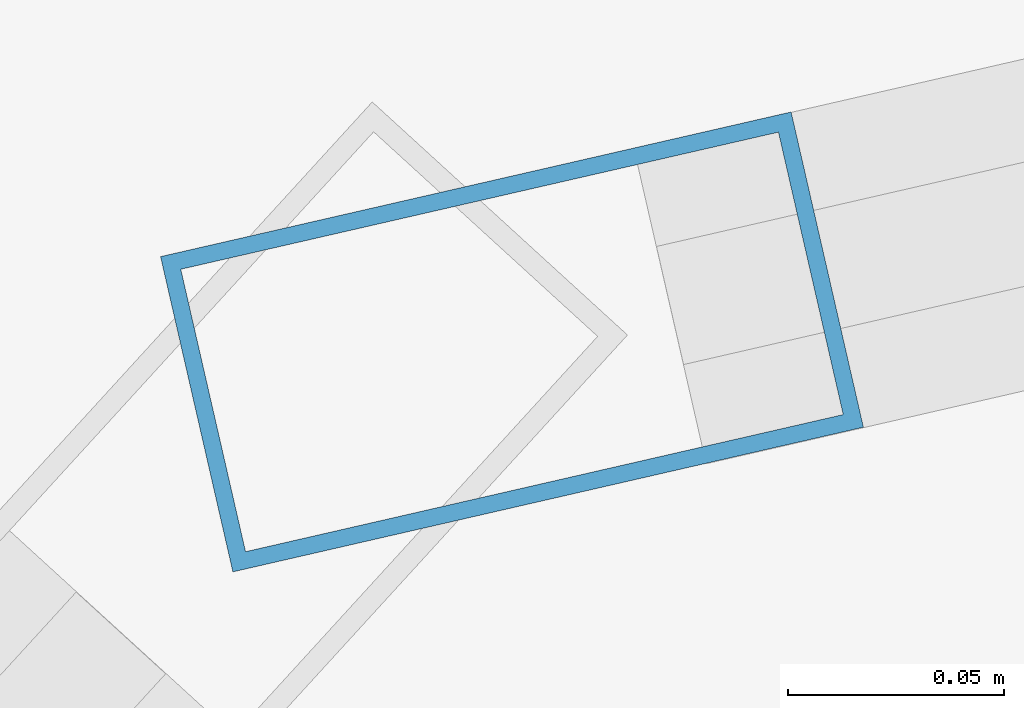
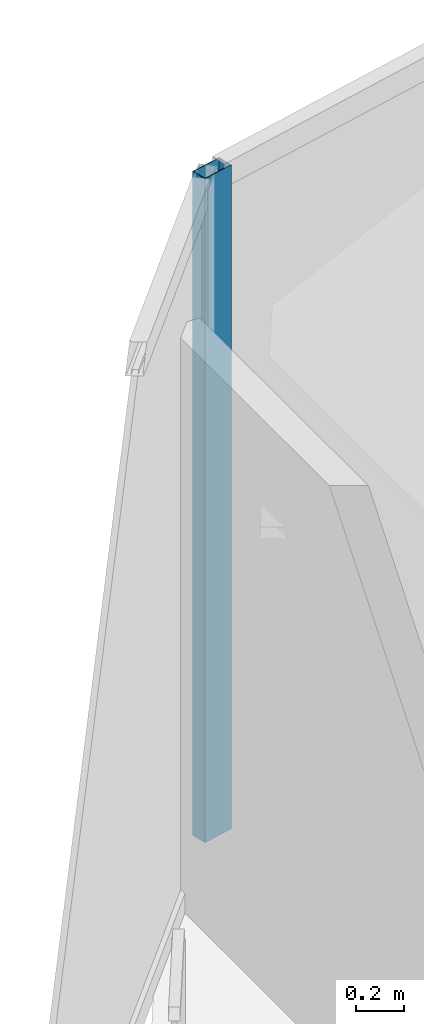
# One storey, part 19 of 34: 1 member, 1 element without a shape of its own.
"""IFC4 building model written with IfcOpenShell, lengths in metres."""

import ifcopenshell
import ifcopenshell.guid

model = None  # the IFC model being written
_history = None  # IfcOwnerHistory: only IFC2X3 demands one
_inside = {}  # id of a spatial element -> (the spatial element, [elements in it])
_under = {}  # id of a project, library or spatial element -> (it, [spatial elements below it])
_declared = {}  # id of a project -> (the project, [libraries it declares])
_typed = {}  # id of a type object -> (the type object, [elements of that type])
_made_of = {}  # id of a material, layer set ... -> (it, [elements and type objects made of it])


def new_model(schema):
    """Start an empty IFC model of exactly this schema.

    Asked for "IFC4X3", IfcOpenShell would pick the latest addendum, in which some entities
    have other attributes; the version numbers below select the first issue.
    IFC2X3 requires an IfcOwnerHistory on every rooted entity: one is made here for all.
    """
    global model, _history
    if schema == "IFC4X3":
        model = ifcopenshell.file(schema_version=(4, 3, 0, 0))
    else:
        model = ifcopenshell.file(schema=schema)
    _inside.clear()
    _under.clear()
    _declared.clear()
    _typed.clear()
    _made_of.clear()
    _history = None
    if model.schema == "IFC2X3":
        org = make("IfcOrganization", Name="unknown")
        user = make(
            "IfcPersonAndOrganization",
            ThePerson=make("IfcPerson", FamilyName="unknown"),
            TheOrganization=org,
        )
        app = make(
            "IfcApplication",
            ApplicationDeveloper=org,
            Version="unknown",
            ApplicationFullName="unknown",
            ApplicationIdentifier="unknown",
        )
        _history = make(
            "IfcOwnerHistory",
            OwningUser=user,
            OwningApplication=app,
            ChangeAction="ADDED",
            CreationDate=0,
        )
    return model


def make(cls, **values):
    """One entity of the class cls with the attributes given. An attribute that is None is left unset."""
    return model.create_entity(
        cls, **{name: value for name, value in values.items() if value is not None}
    )


def rooted(cls, **values):
    """An entity with a GlobalId (a new one), such as an element, a storey or a relation."""
    return make(cls, GlobalId=ifcopenshell.guid.new(), OwnerHistory=_history, **values)


def si_unit(unit_type, name, prefix=None):
    """IfcSIUnit, for example si_unit("LENGTHUNIT", "METRE", prefix="MILLI")."""
    return make("IfcSIUnit", UnitType=unit_type, Prefix=prefix, Name=name)


def assignment(units):
    """IfcUnitAssignment: the units of a project."""
    return None if units is None else make("IfcUnitAssignment", Units=units)


def point(xyz):
    """IfcCartesianPoint."""
    return None if xyz is None else make("IfcCartesianPoint", Coordinates=xyz)


def direction(xyz):
    """IfcDirection."""
    return None if xyz is None else make("IfcDirection", DirectionRatios=xyz)


def frame(location, z_axis=None, x_axis=None):
    """IfcAxis2Placement3D, a coordinate frame: its origin and axes. An axis left out is left unset."""
    return make(
        "IfcAxis2Placement3D",
        Location=point(location),
        Axis=direction(z_axis),
        RefDirection=direction(x_axis),
    )


def frame_2d(location, x_axis=None):
    """IfcAxis2Placement2D, a coordinate frame in the plane: its origin and x axis."""
    return make(
        "IfcAxis2Placement2D", Location=point(location), RefDirection=direction(x_axis)
    )


def origin():
    """The frame at (0, 0, 0) with its axes left unset."""
    return frame((0.0, 0.0, 0.0))


def origin_2d():
    """The frame at (0, 0) in the plane with its x axis left unset."""
    return frame_2d((0.0, 0.0))


def place(relative_to, where):
    """IfcLocalPlacement: puts the frame where relative to a parent placement (None: the world)."""
    return make(
        "IfcLocalPlacement", PlacementRelTo=relative_to, RelativePlacement=where
    )


def context(
    kind, dimensions, precision=None, world=None, true_north=None, identifier=None
):
    """IfcGeometricRepresentationContext, for example the 3D "Model" context."""
    return make(
        "IfcGeometricRepresentationContext",
        ContextIdentifier=identifier,
        ContextType=kind,
        CoordinateSpaceDimension=dimensions,
        Precision=precision,
        WorldCoordinateSystem=world,
        TrueNorth=true_north,
    )


def subcontext(parent, identifier, kind, view, scale=None):
    """IfcGeometricRepresentationSubContext, for example "Body" below "Model"."""
    return make(
        "IfcGeometricRepresentationSubContext",
        ContextIdentifier=identifier,
        ContextType=kind,
        ParentContext=parent,
        TargetScale=scale,
        TargetView=view,
    )


def project(units=None, contexts=None):
    """IfcProject with its units and contexts."""
    return rooted(
        "IfcProject",
        Name="project",
        RepresentationContexts=contexts,
        UnitsInContext=assignment(units),
    )


def spatial(cls, under=None, at=None, **own):
    """A site, building, storey or space (cls), placed at a placement, below another one or the project."""
    s = rooted(cls, ObjectPlacement=at, **own)
    if under is not None:
        _under.setdefault(under.id(), (under, []))[1].append(s)
    return s


def profile(cls, at=None, kind="AREA", **sizes):
    """A parametric profile (cls). Its sizes go by their IFC names, for example OverallWidth=200.0."""
    return make(cls, ProfileType=kind, Position=at, **sizes)


def hollow_rectangle(**sizes):
    """IfcRectangleHollowProfileDef."""
    return profile("IfcRectangleHollowProfileDef", **sizes)


def extrude(swept, where, along, depth):
    """IfcExtrudedAreaSolid: the profile swept, set in the frame where, extruded along a direction by depth."""
    return make(
        "IfcExtrudedAreaSolid",
        SweptArea=swept,
        Position=where,
        ExtrudedDirection=direction(along),
        Depth=depth,
    )


def shape(context_of_items, identifier, shape_type, items):
    """IfcShapeRepresentation: the items that make up one representation, for example the "Body"."""
    return make(
        "IfcShapeRepresentation",
        ContextOfItems=context_of_items,
        RepresentationIdentifier=identifier,
        RepresentationType=shape_type,
        Items=items,
    )


def material(Name=None, Category=None):
    """IfcMaterial."""
    return make("IfcMaterial", Name=Name, Category=Category)


def layer(
    of_material, thickness, ventilated=None, Name=None, Category=None, Priority=None
):
    """IfcMaterialLayer: one layer of a wall or slab, of a material (None: an air gap)."""
    return make(
        "IfcMaterialLayer",
        Material=of_material,
        LayerThickness=thickness,
        IsVentilated=ventilated,
        Name=Name,
        Category=Category,
        Priority=Priority,
    )


def layer_set(layers, Name=None):
    """IfcMaterialLayerSet."""
    return make("IfcMaterialLayerSet", MaterialLayers=layers, LayerSetName=Name)


def material_profile(
    of_material, cross_section, Name=None, Category=None, Priority=None
):
    """IfcMaterialProfile: a cross section and its material."""
    return make(
        "IfcMaterialProfile",
        Name=Name,
        Material=of_material,
        Profile=cross_section,
        Priority=Priority,
        Category=Category,
    )


def profile_set(profiles, Name=None, composite=None):
    """IfcMaterialProfileSet."""
    return make(
        "IfcMaterialProfileSet",
        Name=Name,
        MaterialProfiles=profiles,
        CompositeProfile=composite,
    )


def made_of(thing, what):
    """Note that an element or type object is made of a material, layer set ...; save() writes the relation."""
    if what is not None:
        _made_of.setdefault(what.id(), (what, []))[1].append(thing)
    return thing


def type_object(cls, material=None, **own):
    """A type object (cls), such as IfcWallType, which elements share."""
    return made_of(rooted(cls, **own), material)


def element(
    cls,
    number,
    at=None,
    inside=None,
    cuts=None,
    type_object=None,
    material=None,
    context=None,
    identifier="Body",
    shape_type=None,
    held_by="IfcProductDefinitionShape",
    body=None,
    shapes=None,
    **own,
):
    """One element of the class cls, such as IfcWall. Its Tag is "e" and its number.

    at: its placement. inside: the storey or other place that contains it. cuts: it is an
    opening in that element (IfcRelVoidsElement). A single representation is given by context,
    identifier, shape_type and body (its items); several are given by shapes. held_by: the class
    of the entity that holds the representations. save() writes the other relations.
    """
    e = rooted(cls, Tag="e%d" % number, ObjectPlacement=at, **own)
    if body is not None:
        shapes = [shape(context, identifier, shape_type, body)]
    if shapes is not None:
        e.Representation = make(held_by, Representations=shapes)
    if inside is not None:
        _inside.setdefault(inside.id(), (inside, []))[1].append(e)
    if cuts is not None:
        rooted(
            "IfcRelVoidsElement", RelatingBuildingElement=cuts, RelatedOpeningElement=e
        )
    if type_object is not None:
        _typed.setdefault(type_object.id(), (type_object, []))[1].append(e)
    return made_of(e, material)


def aggregate(whole, parts):
    """IfcRelAggregates: a whole, such as a stair, and the parts it consists of."""
    return rooted("IfcRelAggregates", RelatingObject=whole, RelatedObjects=parts)


def save(model, path):
    """Write the relations noted so far, then the file.

    IfcRelAggregates (storeys below a building ...), IfcRelContainedInSpatialStructure (elements
    in a storey), IfcRelDefinesByType, IfcRelAssociatesMaterial and IfcRelDeclares: one each for
    every whole, place, type object, material and project.
    """
    for whole, parts in _under.values():
        aggregate(whole, parts)
    for where, things in _inside.values():
        rooted(
            "IfcRelContainedInSpatialStructure",
            RelatedElements=things,
            RelatingStructure=where,
        )
    for kind, things in _typed.values():
        rooted("IfcRelDefinesByType", RelatedObjects=things, RelatingType=kind)
    for what, things in _made_of.values():
        rooted("IfcRelAssociatesMaterial", RelatedObjects=things, RelatingMaterial=what)
    for by, libraries in _declared.values():
        rooted("IfcRelDeclares", RelatingContext=by, RelatedDefinitions=libraries)
    model.write(path)


model = new_model("IFC4")

# Units and contexts
model_context = context("Model", 3, precision=1e-05, world=origin(), true_north=direction((0.0, 1.0)))
body_context = subcontext(model_context, "Body", "Model", "MODEL_VIEW")
ifc_project = project(units=[si_unit("LENGTHUNIT", "METRE"), si_unit("AREAUNIT", "SQUARE_METRE"), si_unit("VOLUMEUNIT", "CUBIC_METRE"), si_unit("PLANEANGLEUNIT", "RADIAN"), si_unit("MASSUNIT", "GRAM", prefix="KILO")], contexts=[model_context])

# Site, building, storey
site_placement = place(None, origin())
site = spatial("IfcSite", under=ifc_project, at=site_placement, CompositionType="ELEMENT")
building_placement = place(site_placement, origin())
building = spatial("IfcBuilding", under=site, at=building_placement, Name="Kazevale Care Tower and Concert Hall", CompositionType="ELEMENT")
storey_placement = place(building_placement, frame((0.0, 0.0, 171.0)))
storey = spatial("IfcBuildingStorey", under=building, at=storey_placement, Name="L45", CompositionType="ELEMENT", Elevation=171.0)

# Curtain wall, member
ifc_material_1 = material(Name="Aluminium 6063-T6 and Low-E Glass", Category="aluminium")
ifc_layer = layer(ifc_material_1, 0.179931640625)
ifc_layer_set = layer_set([ifc_layer], Name="Aluminium 6063-T6 and Low-E Glass")
curtain_wall_type = type_object("IfcCurtainWallType", Name="Convex Recessed Sunroom Curtain Wall CW-3", PredefinedType="NOTDEFINED", material=ifc_layer_set)
curtain_wall_placement = place(storey_placement, origin())
curtain_wall = element("IfcCurtainWall", 1, at=curtain_wall_placement, inside=storey, type_object=curtain_wall_type, Name="cw:L45:f15", PredefinedType="NOTDEFINED")
ifc_material_2 = material(Name="Aluminium 6063-T6", Category="aluminium")
ifc_material_profile = material_profile(ifc_material_2, hollow_rectangle(XDim=0.074951171875, YDim=0.14990234375, WallThickness=0.00390625, at=origin_2d()), Name="ALU75x150x4")
ifc_profile_set = profile_set([ifc_material_profile], Name="Aluminium 6063-T6")
member_type = type_object("IfcMemberType", Name="CW-3 Mullion ALU75x150x4", PredefinedType="MULLION", material=ifc_profile_set)
member_placement = place(storey_placement, frame((25.820556640625, 62.37841796875, 0.0), z_axis=(0.0, 0.0, 1.0), x_axis=(-0.223567329284, 0.974688488327, 0.0)))
member = element("IfcMember", 2, at=member_placement, type_object=member_type, Name="CW-3 mullion 1", PredefinedType="MULLION", context=body_context, shape_type="SweptSolid", body=[
    extrude(hollow_rectangle(XDim=0.074951171875, YDim=0.14990234375, WallThickness=0.00390625, at=origin_2d()), origin(), (0.0, 0.0, 1.0), 3.360107421875),
])
aggregate(curtain_wall, [member])

save(model, "model.ifc")
